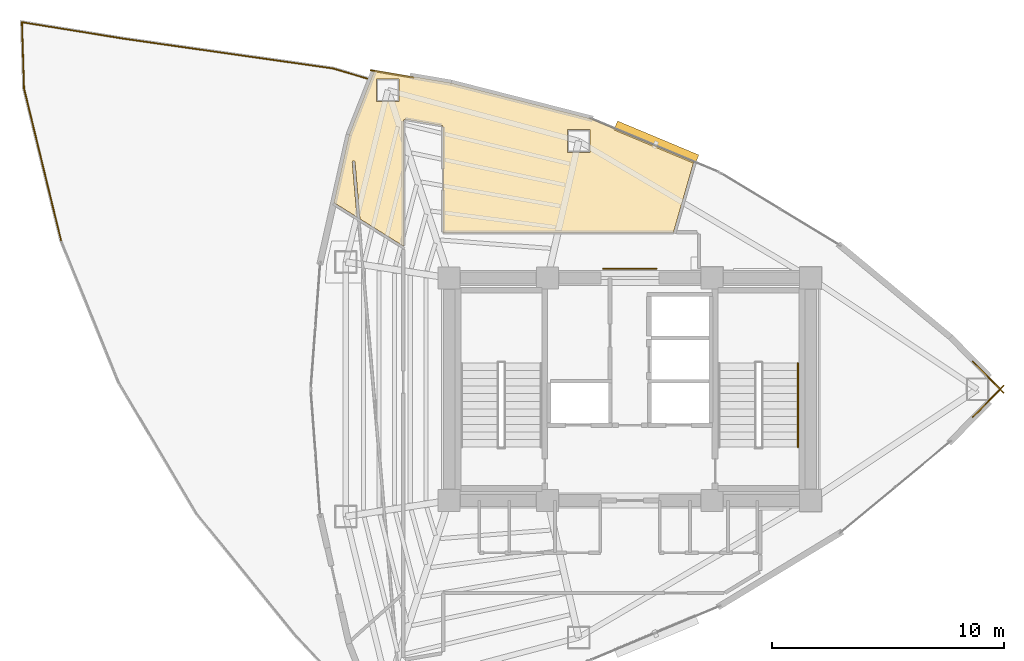
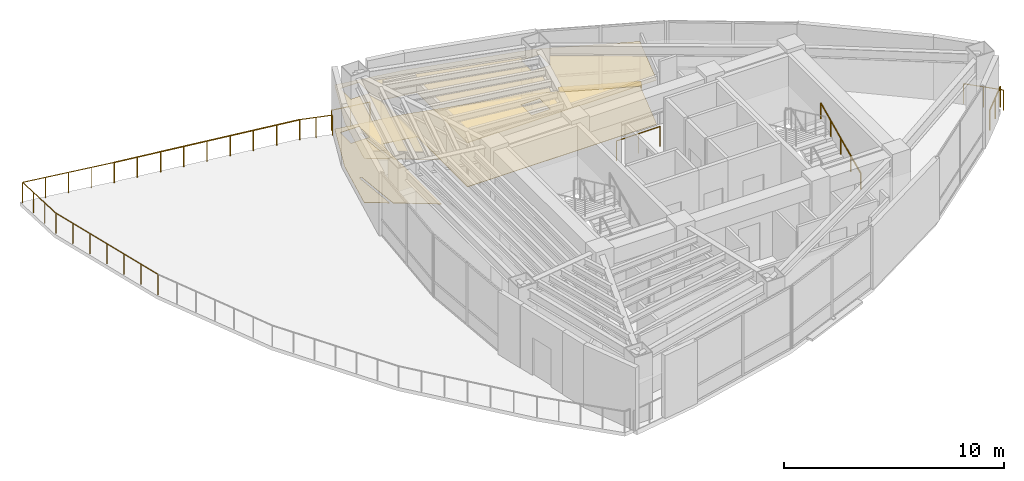
# One storey, part 17 of 17: 10 railings, 2 coverings, 1 shading device.
"""IFC4 building model written with IfcOpenShell, lengths in metres."""

import ifcopenshell
import ifcopenshell.guid

model = None  # the IFC model being written
_history = None  # IfcOwnerHistory: only IFC2X3 demands one
_inside = {}  # id of a spatial element -> (the spatial element, [elements in it])
_under = {}  # id of a project, library or spatial element -> (it, [spatial elements below it])
_declared = {}  # id of a project -> (the project, [libraries it declares])
_typed = {}  # id of a type object -> (the type object, [elements of that type])
_made_of = {}  # id of a material, layer set ... -> (it, [elements and type objects made of it])


def new_model(schema):
    """Start an empty IFC model of exactly this schema.

    Asked for "IFC4X3", IfcOpenShell would pick the latest addendum, in which some entities
    have other attributes; the version numbers below select the first issue.
    IFC2X3 requires an IfcOwnerHistory on every rooted entity: one is made here for all.
    """
    global model, _history
    if schema == "IFC4X3":
        model = ifcopenshell.file(schema_version=(4, 3, 0, 0))
    else:
        model = ifcopenshell.file(schema=schema)
    _inside.clear()
    _under.clear()
    _declared.clear()
    _typed.clear()
    _made_of.clear()
    _history = None
    if model.schema == "IFC2X3":
        org = make("IfcOrganization", Name="unknown")
        user = make(
            "IfcPersonAndOrganization",
            ThePerson=make("IfcPerson", FamilyName="unknown"),
            TheOrganization=org,
        )
        app = make(
            "IfcApplication",
            ApplicationDeveloper=org,
            Version="unknown",
            ApplicationFullName="unknown",
            ApplicationIdentifier="unknown",
        )
        _history = make(
            "IfcOwnerHistory",
            OwningUser=user,
            OwningApplication=app,
            ChangeAction="ADDED",
            CreationDate=0,
        )
    return model


def make(cls, **values):
    """One entity of the class cls with the attributes given. An attribute that is None is left unset."""
    return model.create_entity(
        cls, **{name: value for name, value in values.items() if value is not None}
    )


def rooted(cls, **values):
    """An entity with a GlobalId (a new one), such as an element, a storey or a relation."""
    return make(cls, GlobalId=ifcopenshell.guid.new(), OwnerHistory=_history, **values)


def si_unit(unit_type, name, prefix=None):
    """IfcSIUnit, for example si_unit("LENGTHUNIT", "METRE", prefix="MILLI")."""
    return make("IfcSIUnit", UnitType=unit_type, Prefix=prefix, Name=name)


def assignment(units):
    """IfcUnitAssignment: the units of a project."""
    return None if units is None else make("IfcUnitAssignment", Units=units)


def point(xyz):
    """IfcCartesianPoint."""
    return None if xyz is None else make("IfcCartesianPoint", Coordinates=xyz)


def direction(xyz):
    """IfcDirection."""
    return None if xyz is None else make("IfcDirection", DirectionRatios=xyz)


def frame(location, z_axis=None, x_axis=None):
    """IfcAxis2Placement3D, a coordinate frame: its origin and axes. An axis left out is left unset."""
    return make(
        "IfcAxis2Placement3D",
        Location=point(location),
        Axis=direction(z_axis),
        RefDirection=direction(x_axis),
    )


def frame_2d(location, x_axis=None):
    """IfcAxis2Placement2D, a coordinate frame in the plane: its origin and x axis."""
    return make(
        "IfcAxis2Placement2D", Location=point(location), RefDirection=direction(x_axis)
    )


def origin():
    """The frame at (0, 0, 0) with its axes left unset."""
    return frame((0.0, 0.0, 0.0))


def origin_2d():
    """The frame at (0, 0) in the plane with its x axis left unset."""
    return frame_2d((0.0, 0.0))


def place(relative_to, where):
    """IfcLocalPlacement: puts the frame where relative to a parent placement (None: the world)."""
    return make(
        "IfcLocalPlacement", PlacementRelTo=relative_to, RelativePlacement=where
    )


def context(
    kind, dimensions, precision=None, world=None, true_north=None, identifier=None
):
    """IfcGeometricRepresentationContext, for example the 3D "Model" context."""
    return make(
        "IfcGeometricRepresentationContext",
        ContextIdentifier=identifier,
        ContextType=kind,
        CoordinateSpaceDimension=dimensions,
        Precision=precision,
        WorldCoordinateSystem=world,
        TrueNorth=true_north,
    )


def subcontext(parent, identifier, kind, view, scale=None):
    """IfcGeometricRepresentationSubContext, for example "Body" below "Model"."""
    return make(
        "IfcGeometricRepresentationSubContext",
        ContextIdentifier=identifier,
        ContextType=kind,
        ParentContext=parent,
        TargetScale=scale,
        TargetView=view,
    )


def project(units=None, contexts=None):
    """IfcProject with its units and contexts."""
    return rooted(
        "IfcProject",
        Name="project",
        RepresentationContexts=contexts,
        UnitsInContext=assignment(units),
    )


def spatial(cls, under=None, at=None, **own):
    """A site, building, storey or space (cls), placed at a placement, below another one or the project."""
    s = rooted(cls, ObjectPlacement=at, **own)
    if under is not None:
        _under.setdefault(under.id(), (under, []))[1].append(s)
    return s


def polyline(points):
    """IfcPolyline through the points."""
    return make("IfcPolyline", Points=[point(p) for p in points])


def profile(cls, at=None, kind="AREA", **sizes):
    """A parametric profile (cls). Its sizes go by their IFC names, for example OverallWidth=200.0."""
    return make(cls, ProfileType=kind, Position=at, **sizes)


def rectangle(**sizes):
    """IfcRectangleProfileDef."""
    return profile("IfcRectangleProfileDef", **sizes)


def circle(**sizes):
    """IfcCircleProfileDef."""
    return profile("IfcCircleProfileDef", **sizes)


def outline(outer, holes=None, kind="AREA"):
    """IfcArbitraryClosedProfileDef: a profile drawn as a closed curve; with holes, ...WithVoids."""
    if holes is None:
        return make("IfcArbitraryClosedProfileDef", ProfileType=kind, OuterCurve=outer)
    return make(
        "IfcArbitraryProfileDefWithVoids",
        ProfileType=kind,
        OuterCurve=outer,
        InnerCurves=holes,
    )


def extrude(swept, where, along, depth):
    """IfcExtrudedAreaSolid: the profile swept, set in the frame where, extruded along a direction by depth."""
    return make(
        "IfcExtrudedAreaSolid",
        SweptArea=swept,
        Position=where,
        ExtrudedDirection=direction(along),
        Depth=depth,
    )


def shape(context_of_items, identifier, shape_type, items):
    """IfcShapeRepresentation: the items that make up one representation, for example the "Body"."""
    return make(
        "IfcShapeRepresentation",
        ContextOfItems=context_of_items,
        RepresentationIdentifier=identifier,
        RepresentationType=shape_type,
        Items=items,
    )


def material(Name=None, Category=None):
    """IfcMaterial."""
    return make("IfcMaterial", Name=Name, Category=Category)


def layer(
    of_material, thickness, ventilated=None, Name=None, Category=None, Priority=None
):
    """IfcMaterialLayer: one layer of a wall or slab, of a material (None: an air gap)."""
    return make(
        "IfcMaterialLayer",
        Material=of_material,
        LayerThickness=thickness,
        IsVentilated=ventilated,
        Name=Name,
        Category=Category,
        Priority=Priority,
    )


def layer_set(layers, Name=None):
    """IfcMaterialLayerSet."""
    return make("IfcMaterialLayerSet", MaterialLayers=layers, LayerSetName=Name)


def made_of(thing, what):
    """Note that an element or type object is made of a material, layer set ...; save() writes the relation."""
    if what is not None:
        _made_of.setdefault(what.id(), (what, []))[1].append(thing)
    return thing


def type_object(cls, material=None, **own):
    """A type object (cls), such as IfcWallType, which elements share."""
    return made_of(rooted(cls, **own), material)


def element(
    cls,
    number,
    at=None,
    inside=None,
    cuts=None,
    type_object=None,
    material=None,
    context=None,
    identifier="Body",
    shape_type=None,
    held_by="IfcProductDefinitionShape",
    body=None,
    shapes=None,
    **own,
):
    """One element of the class cls, such as IfcWall. Its Tag is "e" and its number.

    at: its placement. inside: the storey or other place that contains it. cuts: it is an
    opening in that element (IfcRelVoidsElement). A single representation is given by context,
    identifier, shape_type and body (its items); several are given by shapes. held_by: the class
    of the entity that holds the representations. save() writes the other relations.
    """
    e = rooted(cls, Tag="e%d" % number, ObjectPlacement=at, **own)
    if body is not None:
        shapes = [shape(context, identifier, shape_type, body)]
    if shapes is not None:
        e.Representation = make(held_by, Representations=shapes)
    if inside is not None:
        _inside.setdefault(inside.id(), (inside, []))[1].append(e)
    if cuts is not None:
        rooted(
            "IfcRelVoidsElement", RelatingBuildingElement=cuts, RelatedOpeningElement=e
        )
    if type_object is not None:
        _typed.setdefault(type_object.id(), (type_object, []))[1].append(e)
    return made_of(e, material)


def aggregate(whole, parts):
    """IfcRelAggregates: a whole, such as a stair, and the parts it consists of."""
    return rooted("IfcRelAggregates", RelatingObject=whole, RelatedObjects=parts)


def save(model, path):
    """Write the relations noted so far, then the file.

    IfcRelAggregates (storeys below a building ...), IfcRelContainedInSpatialStructure (elements
    in a storey), IfcRelDefinesByType, IfcRelAssociatesMaterial and IfcRelDeclares: one each for
    every whole, place, type object, material and project.
    """
    for whole, parts in _under.values():
        aggregate(whole, parts)
    for where, things in _inside.values():
        rooted(
            "IfcRelContainedInSpatialStructure",
            RelatedElements=things,
            RelatingStructure=where,
        )
    for kind, things in _typed.values():
        rooted("IfcRelDefinesByType", RelatedObjects=things, RelatingType=kind)
    for what, things in _made_of.values():
        rooted("IfcRelAssociatesMaterial", RelatedObjects=things, RelatingMaterial=what)
    for by, libraries in _declared.values():
        rooted("IfcRelDeclares", RelatingContext=by, RelatedDefinitions=libraries)
    model.write(path)


model = new_model("IFC4")

# Units and contexts
model_context = context("Model", 3, precision=1e-05, world=origin(), true_north=direction((0.0, 1.0)))
body_context = subcontext(model_context, "Body", "Model", "MODEL_VIEW")
ifc_project = project(units=[si_unit("LENGTHUNIT", "METRE"), si_unit("AREAUNIT", "SQUARE_METRE"), si_unit("VOLUMEUNIT", "CUBIC_METRE"), si_unit("PLANEANGLEUNIT", "RADIAN"), si_unit("MASSUNIT", "GRAM", prefix="KILO")], contexts=[model_context])

# Site, building, storey
site_placement = place(None, origin())
site = spatial("IfcSite", under=ifc_project, at=site_placement, CompositionType="ELEMENT")
building_placement = place(site_placement, origin())
building = spatial("IfcBuilding", under=site, at=building_placement, Name="Menara Vayukalpa", CompositionType="ELEMENT")
storey_placement = place(building_placement, frame((0.0, 0.0, 206.39990234375)))
storey = spatial("IfcBuildingStorey", under=building, at=storey_placement, Name="L52", CompositionType="ELEMENT", Elevation=206.39990234375)

# Coverings
ifc_material_1 = material(Name="Mineral Fibre Acoustic Ceiling Tile", Category="masonry")
ifc_layer_1 = layer(ifc_material_1, 0.02490234375)
ifc_layer_set_1 = layer_set([ifc_layer_1], Name="Mineral Fibre Acoustic Ceiling Tile")
covering_type_1 = type_object("IfcCoveringType", Name="COV-CLG1", PredefinedType="CEILING", material=ifc_layer_set_1)
covering_1_placement = place(storey_placement, frame((0.0, 0.0, 2.4501953125)))
element("IfcCovering", 1, at=covering_1_placement, inside=storey, type_object=covering_type_1, Name="L52 Visitor Reception Lounge Acoustic Ceiling", PredefinedType="CEILING", context=body_context, shape_type="SweptSolid", body=[
    extrude(outline(polyline([(13.489013671875, 32.976318359375), (14.583251953125, 35.762451171875), (14.58349609375, 35.76318359375), (14.583984375, 35.76416015625), (14.584716796875, 35.764892578125), (14.585205078125, 35.765625), (14.5859375, 35.766357421875), (14.5869140625, 35.766845703125), (14.587646484375, 35.767333984375), (14.58837890625, 35.767822265625), (14.58935546875, 35.768310546875), (14.59033203125, 35.7685546875), (14.59130859375, 35.7685546875), (14.59228515625, 35.768798828125), (14.59326171875, 35.768798828125), (14.59423828125, 35.7685546875), (17.879150390625, 35.2109375), (17.8798828125, 35.210693359375), (23.884765625, 33.67919921875), (23.885986328125, 33.6787109375), (28.3427734375, 31.814697265625), (28.343505859375, 31.814208984375), (28.344482421875, 31.813720703125), (28.34521484375, 31.81298828125), (28.345947265625, 31.8125), (28.346435546875, 31.811767578125), (28.34716796875, 31.81103515625), (28.34765625, 31.810302734375), (28.347900390625, 31.809326171875), (28.348388671875, 31.808349609375), (28.3486328125, 31.807373046875), (28.3486328125, 31.806396484375), (28.348876953125, 31.805419921875), (28.348876953125, 31.804443359375), (28.3486328125, 31.8037109375), (28.348388671875, 31.802490234375), (27.48095703125, 28.777099609375), (27.480712890625, 28.7763671875), (27.480224609375, 28.775390625), (27.479736328125, 28.7744140625), (27.47900390625, 28.773681640625), (27.478515625, 28.77294921875), (27.477783203125, 28.772216796875), (27.476806640625, 28.771728515625), (27.47607421875, 28.771240234375), (27.47509765625, 28.770751953125), (27.47412109375, 28.7705078125), (27.473388671875, 28.770263671875), (27.472412109375, 28.77001953125), (27.47119140625, 28.77001953125), (17.5400390625, 28.77001953125), (17.5390625, 28.77001953125), (17.5380859375, 28.770263671875), (17.537109375, 28.7705078125), (17.5361328125, 28.770751953125), (17.535400390625, 28.771240234375), (17.534423828125, 28.771728515625), (17.53369140625, 28.772216796875), (17.532958984375, 28.77294921875), (17.5322265625, 28.773681640625), (17.53173828125, 28.7744140625), (17.53125, 28.775390625), (17.53076171875, 28.776123046875), (17.530517578125, 28.777099609375), (17.5302734375, 28.778076171875), (17.530029296875, 28.779052734375), (17.530029296875, 28.780029296875), (17.530029296875, 33.314208984375), (17.529541015625, 33.3212890625), (17.528564453125, 33.328125), (17.52685546875, 33.335205078125), (17.5244140625, 33.341552734375), (17.521484375, 33.347900390625), (17.517822265625, 33.353759765625), (17.513427734375, 33.359375), (17.508544921875, 33.364501953125), (17.50341796875, 33.369140625), (17.497802734375, 33.373291015625), (17.49169921875, 33.376708984375), (17.485107421875, 33.37939453125), (17.478515625, 33.3818359375), (17.471435546875, 33.38330078125), (15.912109375, 33.648193359375), (15.905029296875, 33.64892578125), (15.898193359375, 33.649169921875), (15.8916015625, 33.648681640625), (15.884765625, 33.6474609375), (15.87841796875, 33.645751953125), (15.8720703125, 33.643310546875), (15.865966796875, 33.64013671875), (15.860107421875, 33.63671875), (15.854736328125, 33.632568359375), (15.849853515625, 33.6279296875), (15.845458984375, 33.623046875), (15.841552734375, 33.617431640625), (15.837890625, 33.611572265625), (15.835205078125, 33.60546875), (15.8330078125, 33.59912109375), (15.831298828125, 33.592529296875), (15.830322265625, 33.585693359375), (15.830078125, 33.578857421875), (15.830078125, 28.19384765625), (15.830078125, 28.19287109375), (15.829833984375, 28.19189453125), (15.82958984375, 28.19091796875), (15.829345703125, 28.18994140625), (15.828857421875, 28.189208984375), (15.828369140625, 28.188232421875), (15.827880859375, 28.1875), (15.8271484375, 28.186767578125), (15.826416015625, 28.18603515625), (15.82568359375, 28.185546875), (15.82470703125, 28.18505859375), (15.823974609375, 28.1845703125), (15.822998046875, 28.184326171875), (15.822021484375, 28.18408203125), (15.8212890625, 28.183837890625), (15.8203125, 28.183837890625), (15.8193359375, 28.183837890625), (15.818359375, 28.183837890625), (15.8173828125, 28.18408203125), (15.81640625, 28.1845703125), (15.8154296875, 28.184814453125), (15.814697265625, 28.185302734375), (13.958251953125, 29.34521484375), (13.95751953125, 29.345947265625), (13.956787109375, 29.3466796875), (13.9560546875, 29.347412109375), (13.955322265625, 29.34814453125), (13.954833984375, 29.34912109375), (13.954345703125, 29.349853515625), (13.9541015625, 29.350830078125), (13.953857421875, 29.351806640625), (13.95361328125, 29.352783203125), (13.739501953125, 31.7998046875), (13.73876953125, 31.805908203125), (13.7373046875, 31.811767578125), (13.7353515625, 31.8173828125), (13.73291015625, 31.822509765625), (13.72998046875, 31.82763671875), (13.7265625, 31.83251953125), (13.72265625, 31.8369140625), (13.718505859375, 31.8408203125), (13.713623046875, 31.844482421875), (13.708740234375, 31.847412109375), (13.703369140625, 31.85009765625), (13.69775390625, 31.85205078125), (13.692138671875, 31.853515625), (13.686279296875, 31.8544921875), (13.680419921875, 31.85498046875), (13.674560546875, 31.854736328125), (13.668701171875, 31.85400390625), (13.6630859375, 31.8525390625), (13.657470703125, 31.8505859375), (13.652099609375, 31.84814453125), (13.64697265625, 31.84521484375), (13.64208984375, 31.841796875), (13.6376953125, 31.837890625), (13.6337890625, 31.83349609375), (13.630126953125, 31.82861328125), (13.627197265625, 31.82373046875), (13.62451171875, 31.818603515625), (13.62255859375, 31.81298828125), (13.62109375, 31.807373046875), (13.6201171875, 31.801513671875), (13.619873046875, 31.795654296875), (13.6201171875, 31.78955078125), (13.824951171875, 29.447509765625), (13.824951171875, 29.446533203125), (13.824951171875, 29.445556640625), (13.82470703125, 29.444580078125), (13.82470703125, 29.443603515625), (13.82421875, 29.44287109375), (13.82373046875, 29.44189453125), (13.8232421875, 29.441162109375), (13.82275390625, 29.440185546875), (13.822021484375, 29.439697265625), (13.8212890625, 29.43896484375), (13.820556640625, 29.438232421875), (13.81982421875, 29.437744140625), (13.81884765625, 29.4375), (13.818115234375, 29.43701171875), (13.817138671875, 29.436767578125), (13.816162109375, 29.436767578125), (13.815185546875, 29.4365234375), (13.814208984375, 29.4365234375), (13.813232421875, 29.436767578125), (13.812255859375, 29.43701171875), (13.811279296875, 29.437255859375), (13.810546875, 29.4375), (13.809814453125, 29.43798828125), (12.83642578125, 30.04638671875), (12.835693359375, 30.046875), (12.8349609375, 30.047607421875), (12.834228515625, 30.048095703125), (12.833740234375, 30.048828125), (12.833251953125, 30.0498046875), (12.832763671875, 30.050537109375), (12.83251953125, 30.051513671875), (12.83203125, 30.05224609375), (12.831787109375, 30.05322265625), (12.831787109375, 30.05419921875), (12.831787109375, 30.05517578125), (12.831787109375, 30.05615234375), (12.83203125, 30.056884765625), (13.488525390625, 32.974853515625), (13.48876953125, 32.9755859375), (13.489013671875, 32.976318359375)]), holes=[polyline([(15.644775390625, 35.392578125), (14.664794921875, 35.392578125), (14.664794921875, 34.41259765625), (15.644775390625, 34.41259765625), (15.644775390625, 35.392578125)]), polyline([(23.87939453125, 33.198486328125), (22.8994140625, 33.198486328125), (22.8994140625, 32.218505859375), (23.87939453125, 32.218505859375), (23.87939453125, 33.198486328125)])]), origin(), (0.0, 0.0, 1.0), 0.02490234375),
])
ifc_material_2 = material(Name="Porcelain Stoneware Floor Tile", Category="masonry")
ifc_layer_2 = layer(ifc_material_2, 0.02001953125)
ifc_layer_set_2 = layer_set([ifc_layer_2], Name="Porcelain Stoneware Floor Tile")
covering_type_2 = type_object("IfcCoveringType", Name="COV-FLR1", PredefinedType="FLOORING", material=ifc_layer_set_2)
covering_2_placement = place(storey_placement, origin())
element("IfcCovering", 2, at=covering_2_placement, inside=storey, type_object=covering_type_2, Name="L52 Visitor Reception Lounge Porcelain Flooring", PredefinedType="FLOORING", context=body_context, shape_type="SweptSolid", body=[
    extrude(outline(polyline([(13.489013671875, 32.976318359375), (14.583251953125, 35.762451171875), (14.58349609375, 35.76318359375), (14.583984375, 35.76416015625), (14.584716796875, 35.764892578125), (14.585205078125, 35.765625), (14.5859375, 35.766357421875), (14.5869140625, 35.766845703125), (14.587646484375, 35.767333984375), (14.58837890625, 35.767822265625), (14.58935546875, 35.768310546875), (14.59033203125, 35.7685546875), (14.59130859375, 35.7685546875), (14.59228515625, 35.768798828125), (14.59326171875, 35.768798828125), (14.59423828125, 35.7685546875), (17.879150390625, 35.2109375), (17.8798828125, 35.210693359375), (23.884765625, 33.67919921875), (23.885986328125, 33.6787109375), (28.3427734375, 31.814697265625), (28.343505859375, 31.814208984375), (28.344482421875, 31.813720703125), (28.34521484375, 31.81298828125), (28.345947265625, 31.8125), (28.346435546875, 31.811767578125), (28.34716796875, 31.81103515625), (28.34765625, 31.810302734375), (28.347900390625, 31.809326171875), (28.348388671875, 31.808349609375), (28.3486328125, 31.807373046875), (28.3486328125, 31.806396484375), (28.348876953125, 31.805419921875), (28.348876953125, 31.804443359375), (28.3486328125, 31.8037109375), (28.348388671875, 31.802490234375), (27.48095703125, 28.777099609375), (27.480712890625, 28.7763671875), (27.480224609375, 28.775390625), (27.479736328125, 28.7744140625), (27.47900390625, 28.773681640625), (27.478515625, 28.77294921875), (27.477783203125, 28.772216796875), (27.476806640625, 28.771728515625), (27.47607421875, 28.771240234375), (27.47509765625, 28.770751953125), (27.47412109375, 28.7705078125), (27.473388671875, 28.770263671875), (27.472412109375, 28.77001953125), (27.47119140625, 28.77001953125), (17.5400390625, 28.77001953125), (17.5390625, 28.77001953125), (17.5380859375, 28.770263671875), (17.537109375, 28.7705078125), (17.5361328125, 28.770751953125), (17.535400390625, 28.771240234375), (17.534423828125, 28.771728515625), (17.53369140625, 28.772216796875), (17.532958984375, 28.77294921875), (17.5322265625, 28.773681640625), (17.53173828125, 28.7744140625), (17.53125, 28.775390625), (17.53076171875, 28.776123046875), (17.530517578125, 28.777099609375), (17.5302734375, 28.778076171875), (17.530029296875, 28.779052734375), (17.530029296875, 28.780029296875), (17.530029296875, 33.314208984375), (17.529541015625, 33.3212890625), (17.528564453125, 33.328125), (17.52685546875, 33.335205078125), (17.5244140625, 33.341552734375), (17.521484375, 33.347900390625), (17.517822265625, 33.353759765625), (17.513427734375, 33.359375), (17.508544921875, 33.364501953125), (17.50341796875, 33.369140625), (17.497802734375, 33.373291015625), (17.49169921875, 33.376708984375), (17.485107421875, 33.37939453125), (17.478515625, 33.3818359375), (17.471435546875, 33.38330078125), (15.912109375, 33.648193359375), (15.905029296875, 33.64892578125), (15.898193359375, 33.649169921875), (15.8916015625, 33.648681640625), (15.884765625, 33.6474609375), (15.87841796875, 33.645751953125), (15.8720703125, 33.643310546875), (15.865966796875, 33.64013671875), (15.860107421875, 33.63671875), (15.854736328125, 33.632568359375), (15.849853515625, 33.6279296875), (15.845458984375, 33.623046875), (15.841552734375, 33.617431640625), (15.837890625, 33.611572265625), (15.835205078125, 33.60546875), (15.8330078125, 33.59912109375), (15.831298828125, 33.592529296875), (15.830322265625, 33.585693359375), (15.830078125, 33.578857421875), (15.830078125, 28.19384765625), (15.830078125, 28.19287109375), (15.829833984375, 28.19189453125), (15.82958984375, 28.19091796875), (15.829345703125, 28.18994140625), (15.828857421875, 28.189208984375), (15.828369140625, 28.188232421875), (15.827880859375, 28.1875), (15.8271484375, 28.186767578125), (15.826416015625, 28.18603515625), (15.82568359375, 28.185546875), (15.82470703125, 28.18505859375), (15.823974609375, 28.1845703125), (15.822998046875, 28.184326171875), (15.822021484375, 28.18408203125), (15.8212890625, 28.183837890625), (15.8203125, 28.183837890625), (15.8193359375, 28.183837890625), (15.818359375, 28.183837890625), (15.8173828125, 28.18408203125), (15.81640625, 28.1845703125), (15.8154296875, 28.184814453125), (15.814697265625, 28.185302734375), (13.958251953125, 29.34521484375), (13.95751953125, 29.345947265625), (13.956787109375, 29.3466796875), (13.9560546875, 29.347412109375), (13.955322265625, 29.34814453125), (13.954833984375, 29.34912109375), (13.954345703125, 29.349853515625), (13.9541015625, 29.350830078125), (13.953857421875, 29.351806640625), (13.95361328125, 29.352783203125), (13.739501953125, 31.7998046875), (13.73876953125, 31.805908203125), (13.7373046875, 31.811767578125), (13.7353515625, 31.8173828125), (13.73291015625, 31.822509765625), (13.72998046875, 31.82763671875), (13.7265625, 31.83251953125), (13.72265625, 31.8369140625), (13.718505859375, 31.8408203125), (13.713623046875, 31.844482421875), (13.708740234375, 31.847412109375), (13.703369140625, 31.85009765625), (13.69775390625, 31.85205078125), (13.692138671875, 31.853515625), (13.686279296875, 31.8544921875), (13.680419921875, 31.85498046875), (13.674560546875, 31.854736328125), (13.668701171875, 31.85400390625), (13.6630859375, 31.8525390625), (13.657470703125, 31.8505859375), (13.652099609375, 31.84814453125), (13.64697265625, 31.84521484375), (13.64208984375, 31.841796875), (13.6376953125, 31.837890625), (13.6337890625, 31.83349609375), (13.630126953125, 31.82861328125), (13.627197265625, 31.82373046875), (13.62451171875, 31.818603515625), (13.62255859375, 31.81298828125), (13.62109375, 31.807373046875), (13.6201171875, 31.801513671875), (13.619873046875, 31.795654296875), (13.6201171875, 31.78955078125), (13.824951171875, 29.447509765625), (13.824951171875, 29.446533203125), (13.824951171875, 29.445556640625), (13.82470703125, 29.444580078125), (13.82470703125, 29.443603515625), (13.82421875, 29.44287109375), (13.82373046875, 29.44189453125), (13.8232421875, 29.441162109375), (13.82275390625, 29.440185546875), (13.822021484375, 29.439697265625), (13.8212890625, 29.43896484375), (13.820556640625, 29.438232421875), (13.81982421875, 29.437744140625), (13.81884765625, 29.4375), (13.818115234375, 29.43701171875), (13.817138671875, 29.436767578125), (13.816162109375, 29.436767578125), (13.815185546875, 29.4365234375), (13.814208984375, 29.4365234375), (13.813232421875, 29.436767578125), (13.812255859375, 29.43701171875), (13.811279296875, 29.437255859375), (13.810546875, 29.4375), (13.809814453125, 29.43798828125), (12.83642578125, 30.04638671875), (12.835693359375, 30.046875), (12.8349609375, 30.047607421875), (12.834228515625, 30.048095703125), (12.833740234375, 30.048828125), (12.833251953125, 30.0498046875), (12.832763671875, 30.050537109375), (12.83251953125, 30.051513671875), (12.83203125, 30.05224609375), (12.831787109375, 30.05322265625), (12.831787109375, 30.05419921875), (12.831787109375, 30.05517578125), (12.831787109375, 30.05615234375), (12.83203125, 30.056884765625), (13.488525390625, 32.974853515625), (13.48876953125, 32.9755859375), (13.489013671875, 32.976318359375)]), holes=[polyline([(15.644775390625, 35.392578125), (14.664794921875, 35.392578125), (14.664794921875, 34.41259765625), (15.644775390625, 34.41259765625), (15.644775390625, 35.392578125)]), polyline([(23.87939453125, 33.198486328125), (22.8994140625, 33.198486328125), (22.8994140625, 32.218505859375), (23.87939453125, 32.218505859375), (23.87939453125, 33.198486328125)])]), origin(), (0.0, 0.0, 1.0), 0.02001953125),
])

# Railings
ifc_material_3 = material(Name="Laminated Glass Interior Balustrade", Category="glass")
railing_type_1 = type_object("IfcRailingType", Name="RLG-BAL110", PredefinedType="BALUSTRADE", material=ifc_material_3)
railing_1_placement = place(storey_placement, frame((24.449951171875, 27.199951171875, 0.0)))
element("IfcRailing", 3, at=railing_1_placement, inside=storey, type_object=railing_type_1, Name="L52 Concourse Feature Glass Balustrade", PredefinedType="BALUSTRADE", context=body_context, shape_type="SweptSolid", body=[
    extrude(circle(Radius=0.02392578125, at=origin_2d()), frame((0.0, 0.0, 1.09619140625), z_axis=(1.0, 0.0, 0.0), x_axis=(0.0, 1.0, 0.0)), (0.0, 0.0, 1.0), 2.300048828125),
    extrude(circle(Radius=0.02099609375, at=origin_2d()), origin(), (0.0, 0.0, 1.0), 1.072021484375),
    extrude(circle(Radius=0.02099609375, at=origin_2d()), frame((1.14990234375, 0.0, 0.0)), (0.0, 0.0, 1.0), 1.072021484375),
    extrude(circle(Radius=0.02099609375, at=origin_2d()), frame((2.300048828125, 0.0, 0.0)), (0.0, 0.0, 1.0), 1.072021484375),
])
ifc_material_4 = material(Name="Laminated Glass and Stainless Steel 316 Guardrail", Category="steel")
railing_type_2 = type_object("IfcRailingType", Name="RLG-EXT115", PredefinedType="GUARDRAIL", material=ifc_material_4)
railing_2_placement = place(storey_placement, frame((1.05712890625, 28.42529296875, 0.0)))
element("IfcRailing", 4, at=railing_2_placement, inside=storey, type_object=railing_type_2, Name="L52 Sky Terrace Perimeter Guardrail 05", PredefinedType="GUARDRAIL", context=body_context, shape_type="SweptSolid", body=[
    extrude(circle(Radius=0.02392578125, at=origin_2d()), frame((0.0, 0.0, 1.1259765625), z_axis=(-0.236818528525, 0.971553902029, 0.0), x_axis=(-0.971553902029, -0.236818528525, 0.0)), (0.0, 0.0, 1.0), 6.737060546875),
    extrude(circle(Radius=0.02099609375, at=origin_2d()), origin(), (0.0, 0.0, 1.0), 1.101806640625),
    extrude(circle(Radius=0.02099609375, at=origin_2d()), frame((-0.265869140625, 1.0908203125, 0.0)), (0.0, 0.0, 1.0), 1.101806640625),
    extrude(circle(Radius=0.02099609375, at=origin_2d()), frame((-0.53173828125, 2.181884765625, 0.0)), (0.0, 0.0, 1.0), 1.101806640625),
    extrude(circle(Radius=0.02099609375, at=origin_2d()), frame((-0.7978515625, 3.272705078125, 0.0)), (0.0, 0.0, 1.0), 1.101806640625),
    extrude(circle(Radius=0.02099609375, at=origin_2d()), frame((-1.063720703125, 4.363525390625, 0.0)), (0.0, 0.0, 1.0), 1.101806640625),
    extrude(circle(Radius=0.02099609375, at=origin_2d()), frame((-1.32958984375, 5.45458984375, 0.0)), (0.0, 0.0, 1.0), 1.101806640625),
    extrude(circle(Radius=0.02099609375, at=origin_2d()), frame((-1.595458984375, 6.54541015625, 0.0)), (0.0, 0.0, 1.0), 1.101806640625),
])
railing_3_placement = place(storey_placement, frame((-0.538330078125, 34.970703125, 0.0)))
element("IfcRailing", 5, at=railing_3_placement, inside=storey, type_object=railing_type_2, Name="L52 Sky Terrace Perimeter Guardrail 06", PredefinedType="GUARDRAIL", context=body_context, shape_type="SweptSolid", body=[
    extrude(circle(Radius=0.02392578125, at=origin_2d()), frame((0.0, 0.0, 1.1259765625), z_axis=(-0.031854299413, 0.999492523038, 0.0), x_axis=(-0.999492523038, -0.031854299413, 0.0)), (0.0, 0.0, 1.0), 2.866455078125),
    extrude(circle(Radius=0.02099609375, at=origin_2d()), origin(), (0.0, 0.0, 1.0), 1.101806640625),
    extrude(circle(Radius=0.02099609375, at=origin_2d()), frame((-0.030517578125, 0.955078125, 0.0)), (0.0, 0.0, 1.0), 1.101806640625),
    extrude(circle(Radius=0.02099609375, at=origin_2d()), frame((-0.060791015625, 1.909912109375, 0.0)), (0.0, 0.0, 1.0), 1.101806640625),
    extrude(circle(Radius=0.02099609375, at=origin_2d()), frame((-0.09130859375, 2.864990234375, 0.0)), (0.0, 0.0, 1.0), 1.101806640625),
])
railing_4_placement = place(storey_placement, frame((-0.629638671875, 37.835693359375, 0.0)))
element("IfcRailing", 6, at=railing_4_placement, inside=storey, type_object=railing_type_2, Name="L52 Sky Terrace Perimeter Guardrail 07", PredefinedType="GUARDRAIL", context=body_context, shape_type="SweptSolid", body=[
    extrude(circle(Radius=0.02392578125, at=origin_2d()), frame((0.0, 0.0, 1.1259765625), z_axis=(0.987135390998, -0.159886584298, 0.0), x_axis=(0.159886584298, 0.987135390998, 0.0)), (0.0, 0.0, 1.0), 4.458740234375),
    extrude(circle(Radius=0.02099609375, at=origin_2d()), origin(), (0.0, 0.0, 1.0), 1.101806640625),
    extrude(circle(Radius=0.02099609375, at=origin_2d()), frame((1.100341796875, -0.17822265625, 0.0)), (0.0, 0.0, 1.0), 1.101806640625),
    extrude(circle(Radius=0.02099609375, at=origin_2d()), frame((2.20068359375, -0.3564453125, 0.0)), (0.0, 0.0, 1.0), 1.101806640625),
    extrude(circle(Radius=0.02099609375, at=origin_2d()), frame((3.301025390625, -0.53466796875, 0.0)), (0.0, 0.0, 1.0), 1.101806640625),
    extrude(circle(Radius=0.02099609375, at=origin_2d()), frame((4.4013671875, -0.712890625, 0.0)), (0.0, 0.0, 1.0), 1.101806640625),
])
railing_5_placement = place(storey_placement, frame((3.773193359375, 37.12255859375, 0.0)))
element("IfcRailing", 7, at=railing_5_placement, inside=storey, type_object=railing_type_2, Name="L52 Sky Terrace Perimeter Guardrail 08", PredefinedType="GUARDRAIL", context=body_context, shape_type="SweptSolid", body=[
    extrude(circle(Radius=0.02392578125, at=origin_2d()), frame((0.0, 0.0, 1.1259765625), z_axis=(0.99002117854, -0.140918650444, 0.0), x_axis=(0.140918650444, 0.99002117854, 0.0)), (0.0, 0.0, 1.0), 9.111083984375),
    extrude(circle(Radius=0.02099609375, at=origin_2d()), origin(), (0.0, 0.0, 1.0), 1.101806640625),
    extrude(circle(Radius=0.02099609375, at=origin_2d()), frame((1.12744140625, -0.160400390625, 0.0)), (0.0, 0.0, 1.0), 1.101806640625),
    extrude(circle(Radius=0.02099609375, at=origin_2d()), frame((2.255126953125, -0.321044921875, 0.0)), (0.0, 0.0, 1.0), 1.101806640625),
    extrude(circle(Radius=0.02099609375, at=origin_2d()), frame((3.382568359375, -0.4814453125, 0.0)), (0.0, 0.0, 1.0), 1.101806640625),
    extrude(circle(Radius=0.02099609375, at=origin_2d()), frame((4.51025390625, -0.64208984375, 0.0)), (0.0, 0.0, 1.0), 1.101806640625),
    extrude(circle(Radius=0.02099609375, at=origin_2d()), frame((5.6376953125, -0.802490234375, 0.0)), (0.0, 0.0, 1.0), 1.101806640625),
    extrude(circle(Radius=0.02099609375, at=origin_2d()), frame((6.76513671875, -0.962890625, 0.0)), (0.0, 0.0, 1.0), 1.101806640625),
    extrude(circle(Radius=0.02099609375, at=origin_2d()), frame((7.892822265625, -1.12353515625, 0.0)), (0.0, 0.0, 1.0), 1.101806640625),
    extrude(circle(Radius=0.02099609375, at=origin_2d()), frame((9.020263671875, -1.283935546875, 0.0)), (0.0, 0.0, 1.0), 1.101806640625),
])
railing_6_placement = place(storey_placement, frame((12.79345703125, 35.838623046875, 0.0)))
element("IfcRailing", 8, at=railing_6_placement, inside=storey, type_object=railing_type_2, Name="L52 Sky Terrace Perimeter Guardrail 09", PredefinedType="GUARDRAIL", context=body_context, shape_type="SweptSolid", body=[
    extrude(circle(Radius=0.02392578125, at=origin_2d()), frame((0.0, 0.0, 1.1259765625), z_axis=(0.958878592164, -0.283816570146, 0.0), x_axis=(0.283816570146, 0.958878592164, 0.0)), (0.0, 0.0, 1.0), 1.529541015625),
    extrude(circle(Radius=0.02099609375, at=origin_2d()), origin(), (0.0, 0.0, 1.0), 1.101806640625),
    extrude(circle(Radius=0.02099609375, at=origin_2d()), frame((0.7333984375, -0.217041015625, 0.0)), (0.0, 0.0, 1.0), 1.101806640625),
    extrude(circle(Radius=0.02099609375, at=origin_2d()), frame((1.466552734375, -0.43408203125, 0.0)), (0.0, 0.0, 1.0), 1.101806640625),
])
railing_7_placement = place(storey_placement, frame((40.392333984375, 20.800048828125, 0.0)))
element("IfcRailing", 9, at=railing_7_placement, inside=storey, type_object=railing_type_2, Name="L52 Column Corner Spandrel Guardrail 01-1", PredefinedType="GUARDRAIL", context=body_context, shape_type="SweptSolid", body=[
    extrude(circle(Radius=0.02392578125, at=origin_2d()), frame((0.0, 0.0, 1.1259765625), z_axis=(0.700555409966, 0.713598008382, 0.0), x_axis=(-0.713598008382, 0.700555409966, 0.0)), (0.0, 0.0, 1.0), 1.890625),
    extrude(circle(Radius=0.02099609375, at=origin_2d()), origin(), (0.0, 0.0, 1.0), 1.101806640625),
    extrude(circle(Radius=0.02099609375, at=origin_2d()), frame((0.662109375, 0.674560546875, 0.0)), (0.0, 0.0, 1.0), 1.101806640625),
    extrude(circle(Radius=0.02099609375, at=origin_2d()), frame((1.324462890625, 1.34912109375, 0.0)), (0.0, 0.0, 1.0), 1.101806640625),
])
railing_8_placement = place(storey_placement, frame((41.716796875, 21.850830078125, 0.0)))
element("IfcRailing", 10, at=railing_8_placement, inside=storey, type_object=railing_type_2, Name="L52 Column Corner Spandrel Guardrail 02-1", PredefinedType="GUARDRAIL", context=body_context, shape_type="SweptSolid", body=[
    extrude(circle(Radius=0.02392578125, at=origin_2d()), frame((0.0, 0.0, 1.1259765625), z_axis=(-0.700555409966, 0.713598008382, 0.0), x_axis=(-0.713598008382, -0.700555409966, 0.0)), (0.0, 0.0, 1.0), 1.890625),
    extrude(circle(Radius=0.02099609375, at=origin_2d()), origin(), (0.0, 0.0, 1.0), 1.101806640625),
    extrude(circle(Radius=0.02099609375, at=origin_2d()), frame((-0.662109375, 0.674560546875, 0.0)), (0.0, 0.0, 1.0), 1.101806640625),
    extrude(circle(Radius=0.02099609375, at=origin_2d()), frame((-1.324462890625, 1.34912109375, 0.0)), (0.0, 0.0, 1.0), 1.101806640625),
])
railing_9_placement = place(storey_placement, frame((16.256103515625, 35.44580078125, 0.0)))
element("IfcRailing", 11, at=railing_9_placement, inside=storey, type_object=railing_type_2, Name="L52 Column Corner Spandrel Guardrail 07-1", PredefinedType="GUARDRAIL", context=body_context, shape_type="SweptSolid", body=[
    extrude(circle(Radius=0.02392578125, at=origin_2d()), frame((0.0, 0.0, 1.1259765625), z_axis=(-0.985895107684, 0.167364382844, 0.0), x_axis=(-0.167364382844, -0.985895107684, 0.0)), (0.0, 0.0, 1.0), 1.86865234375),
    extrude(circle(Radius=0.02099609375, at=origin_2d()), origin(), (0.0, 0.0, 1.0), 1.101806640625),
    extrude(circle(Radius=0.02099609375, at=origin_2d()), frame((-0.921142578125, 0.15625, 0.0)), (0.0, 0.0, 1.0), 1.101806640625),
    extrude(circle(Radius=0.02099609375, at=origin_2d()), frame((-1.84228515625, 0.312744140625, 0.0)), (0.0, 0.0, 1.0), 1.101806640625),
])
ifc_material_5 = material(Name="Stainless Steel 316 Tubular Handrail", Category="steel")
railing_type_3 = type_object("IfcRailingType", Name="RLG-STH090", PredefinedType="HANDRAIL", material=ifc_material_5)
railing_10_placement = place(storey_placement, frame((32.85009765625, 19.5, 0.155029296875)))
element("IfcRailing", 12, at=railing_10_placement, inside=storey, type_object=railing_type_3, Name="L52 ST-2 stair handrail 1", PredefinedType="HANDRAIL", context=body_context, shape_type="SweptSolid", body=[
    extrude(circle(Radius=0.02392578125, at=origin_2d()), frame((0.0, 0.0, 0.8759765625), z_axis=(0.0, 0.90511648382, 0.425163675209), x_axis=(-1.0, 0.0, 0.0)), (0.0, 0.0, 1.0), 4.010498046875),
    extrude(circle(Radius=0.02099609375, at=origin_2d()), origin(), (0.0, 0.0, 1.0), 0.851806640625),
    extrude(circle(Radius=0.02099609375, at=origin_2d()), frame((0.0, 0.907470703125, 0.42626953125)), (0.0, 0.0, 1.0), 0.851806640625),
    extrude(circle(Radius=0.02099609375, at=origin_2d()), frame((0.0, 1.81494140625, 0.8525390625)), (0.0, 0.0, 1.0), 0.851806640625),
    extrude(circle(Radius=0.02099609375, at=origin_2d()), frame((0.0, 2.722412109375, 1.27880859375)), (0.0, 0.0, 1.0), 0.851806640625),
    extrude(circle(Radius=0.02099609375, at=origin_2d()), frame((0.0, 3.6298828125, 1.705078125)), (0.0, 0.0, 1.0), 0.851806640625),
])

# Shading device
ifc_material_6 = material(Name="Glazed Terracotta Ceramic Baguette Extrusion", Category="masonry")
ifc_layer_3 = layer(ifc_material_6, 0.1201171875)
ifc_layer_set_3 = layer_set([ifc_layer_3], Name="Glazed Terracotta Ceramic Baguette Extrusion")
shading_device_type = type_object("IfcShadingDeviceType", Name="SHD-SS1", PredefinedType="USERDEFINED", material=ifc_layer_set_3)
shading_device_placement = place(storey_placement, frame((26.740234375, 32.6474609375, -0.099853515625), z_axis=(0.0, 0.0, 1.0), x_axis=(-0.922538089456, 0.385906042324, 0.0)))
element("IfcShadingDevice", 13, at=shading_device_placement, inside=storey, type_object=shading_device_type, Name="L52 Horizontal Terracotta Sunshade Band 05", ObjectType="SUNSHADE", PredefinedType="USERDEFINED", context=body_context, shape_type="SweptSolid", body=[
    extrude(rectangle(XDim=3.800048828125, YDim=0.419921875, at=origin_2d()), origin(), (0.0, 0.0, 1.0), 0.1201171875),
])

save(model, "model.ifc")
